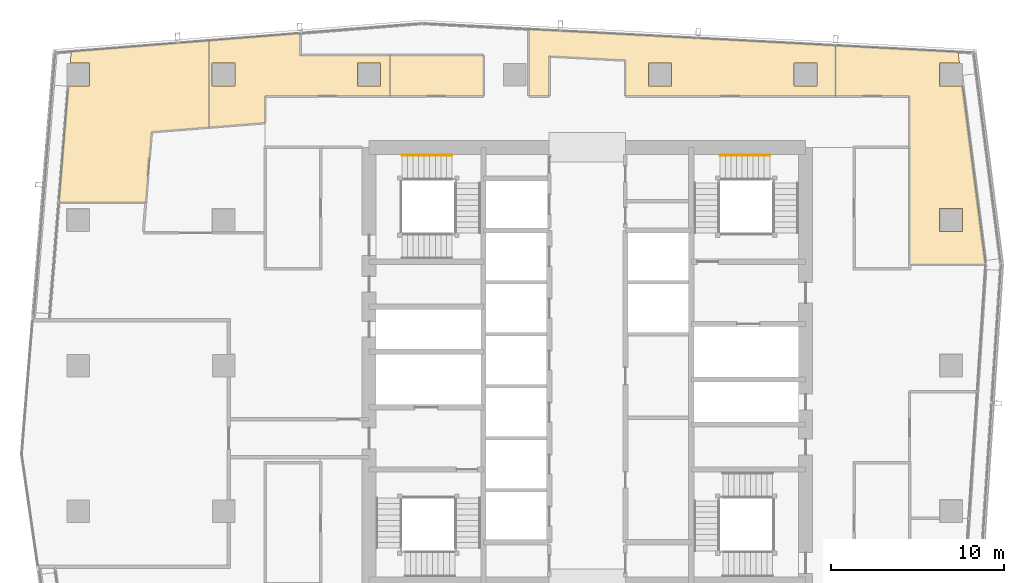
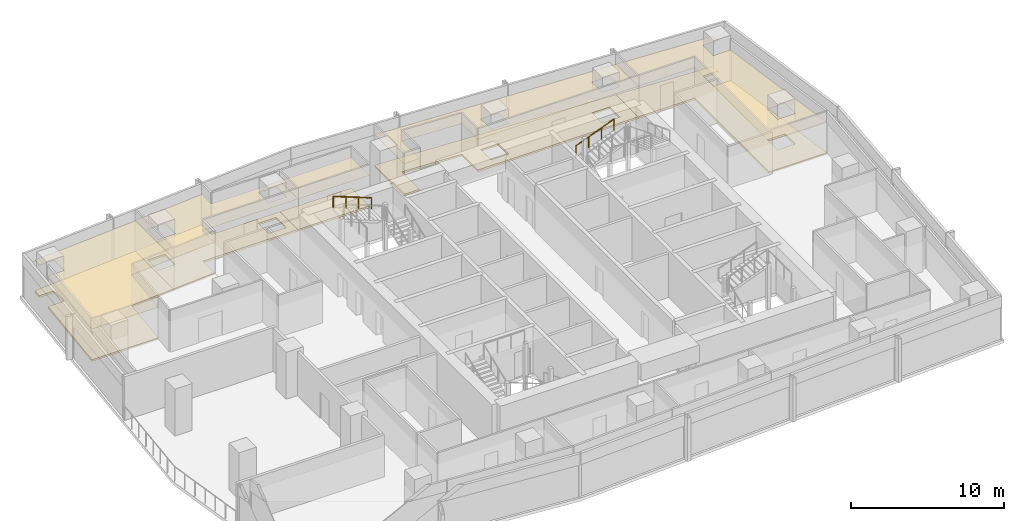
# One storey, part 28 of 28: 10 coverings, 2 railings.
"""IFC4 building model written with IfcOpenShell, lengths in metres."""

from ifc_helpers import new_model, si_unit, direction, frame, origin, origin_2d, place, context, subcontext, project, spatial, polyline, circle, outline, extrude, material, layer, layer_set, type_object, element, save


model = new_model("IFC4")

# Units and contexts
model_context = context("Model", 3, precision=1e-05, world=origin(), true_north=direction((0.0, 1.0)))
body_context = subcontext(model_context, "Body", "Model", "MODEL_VIEW")
ifc_project = project(units=[si_unit("LENGTHUNIT", "METRE"), si_unit("AREAUNIT", "SQUARE_METRE"), si_unit("VOLUMEUNIT", "CUBIC_METRE"), si_unit("PLANEANGLEUNIT", "RADIAN"), si_unit("MASSUNIT", "GRAM", prefix="KILO")], contexts=[model_context])

# Site, building, storey
site_placement = place(None, origin())
site = spatial("IfcSite", under=ifc_project, at=site_placement, CompositionType="ELEMENT")
building_placement = place(site_placement, origin())
building = spatial("IfcBuilding", under=site, at=building_placement, Name="Rekha Terrace Tower", CompositionType="ELEMENT")
storey_placement = place(building_placement, frame((0.0, 0.0, 268.85009765625)))
storey = spatial("IfcBuildingStorey", under=building, at=storey_placement, Name="L68", CompositionType="ELEMENT", Elevation=268.85009765625)

# Coverings
ifc_material_1 = material(Name="Mineral fibre tile in exposed grid", Category="finish")
ifc_layer_1 = layer(ifc_material_1, 0.02001953125)
ifc_layer_set_1 = layer_set([ifc_layer_1], Name="Mineral fibre tile in exposed grid")
covering_type_1 = type_object("IfcCoveringType", Name="CL1 600x1200 office grid ceiling", PredefinedType="CEILING", material=ifc_layer_set_1)
covering_1_placement = place(storey_placement, frame((0.0, 0.0, 2.579833984375)))
element("IfcCovering", 1, at=covering_1_placement, inside=storey, type_object=covering_type_1, Name="Ceiling L68-08", PredefinedType="CEILING", context=body_context, shape_type="SweptSolid", body=[
    extrude(outline(polyline([(59.199951171875, 51.7060546875), (52.123046875, 52.08203125), (52.123046875, 49.14990234375), (56.39990234375, 49.14990234375), (56.39990234375, 39.43994140625), (60.781005859375, 39.43994140625), (59.4541015625, 49.735107421875), (58.135009765625, 49.735107421875), (58.135009765625, 51.06494140625), (59.282958984375, 51.06494140625), (59.199951171875, 51.7060546875)]), holes=[polyline([(59.465087890625, 41.3349609375), (58.135009765625, 41.3349609375), (58.135009765625, 42.6650390625), (59.465087890625, 42.6650390625), (59.465087890625, 41.3349609375)])]), origin(), (0.0, 0.0, 1.0), 0.02001953125),
])
covering_2_placement = place(storey_placement, frame((0.0, 0.0, 2.579833984375)))
element("IfcCovering", 2, at=covering_2_placement, inside=storey, type_object=covering_type_1, Name="Ceiling L68-09", PredefinedType="CEILING", context=body_context, shape_type="SweptSolid", body=[
    extrude(outline(polyline([(34.41796875, 49.14990234375), (35.60009765625, 49.14990234375), (35.60009765625, 51.4580078125), (40.0, 51.22509765625), (40.0, 49.14990234375), (52.123046875, 49.14990234375), (52.123046875, 52.08203125), (44.172119140625, 52.5048828125), (34.41796875, 53.02294921875), (34.41796875, 49.14990234375)]), holes=[polyline([(51.06494140625, 51.06494140625), (51.06494140625, 49.735107421875), (49.735107421875, 49.735107421875), (49.735107421875, 51.06494140625), (51.06494140625, 51.06494140625)]), polyline([(42.6650390625, 49.735107421875), (41.3349609375, 49.735107421875), (41.3349609375, 51.06494140625), (42.6650390625, 51.06494140625), (42.6650390625, 49.735107421875)])]), origin(), (0.0, 0.0, 1.0), 0.02001953125),
])
covering_3_placement = place(storey_placement, frame((0.0, 0.0, 2.579833984375)))
element("IfcCovering", 3, at=covering_3_placement, inside=storey, type_object=covering_type_1, Name="Ceiling L68-10", PredefinedType="CEILING", context=body_context, shape_type="SweptSolid", body=[
    extrude(outline(polyline([(21.22607421875, 52.7880859375), (15.950927734375, 52.366943359375), (15.950927734375, 47.35107421875), (19.199951171875, 47.610107421875), (19.199951171875, 49.14990234375), (26.39990234375, 49.14990234375), (26.39990234375, 51.510986328125), (21.22607421875, 51.510986328125), (21.22607421875, 52.7880859375)]), holes=[polyline([(25.864990234375, 51.06494140625), (25.864990234375, 49.735107421875), (24.534912109375, 49.735107421875), (24.534912109375, 51.06494140625), (25.864990234375, 51.06494140625)]), polyline([(17.465087890625, 49.735107421875), (16.135009765625, 49.735107421875), (16.135009765625, 51.06494140625), (17.465087890625, 51.06494140625), (17.465087890625, 49.735107421875)])]), origin(), (0.0, 0.0, 1.0), 0.02001953125),
])
covering_4_placement = place(storey_placement, frame((0.0, 0.0, 2.579833984375)))
element("IfcCovering", 4, at=covering_4_placement, inside=storey, type_object=covering_type_1, Name="Ceiling L68-11", PredefinedType="CEILING", context=body_context, shape_type="SweptSolid", body=[
    extrude(outline(polyline([(7.842041015625, 49.735107421875), (7.2958984375, 43.027099609375), (12.31201171875, 43.027099609375), (12.64306640625, 47.0869140625), (15.949951171875, 47.35107421875), (15.949951171875, 52.366943359375), (8.00390625, 51.73291015625), (7.949951171875, 51.06494140625), (9.06494140625, 51.06494140625), (9.06494140625, 49.735107421875), (7.842041015625, 49.735107421875)])), origin(), (0.0, 0.0, 1.0), 0.02001953125),
])
covering_5_placement = place(storey_placement, frame((0.0, 0.0, 2.579833984375)))
element("IfcCovering", 5, at=covering_5_placement, inside=storey, type_object=covering_type_1, Name="Ceiling L68-13", PredefinedType="CEILING", context=body_context, shape_type="SweptSolid", body=[
    extrude(outline(polyline([(31.800048828125, 49.14990234375), (31.800048828125, 51.510986328125), (26.39990234375, 51.510986328125), (26.39990234375, 49.14990234375), (31.800048828125, 49.14990234375)])), origin(), (0.0, 0.0, 1.0), 0.02001953125),
])

# Railings
ifc_material_2 = material(Name="Stainless steel tube", Category="steel")
railing_type = type_object("IfcRailingType", Name="HR1 900 stair handrail", PredefinedType="HANDRAIL", material=ifc_material_2)
railing_1_placement = place(storey_placement, frame((45.449951171875, 45.739990234375, 1.375)))
element("IfcRailing", 6, at=railing_1_placement, inside=storey, type_object=railing_type, Name="Handrail ST2 L68 flight 2", PredefinedType="HANDRAIL", context=body_context, shape_type="SweptSolid", body=[
    extrude(circle(Radius=0.02392578125, at=origin_2d()), frame((0.0, 0.0, 0.8759765625), z_axis=(0.931462784923, 0.0, 0.363836612098), x_axis=(0.0, 1.0, 0.0)), (0.0, 0.0, 1.0), 3.092041015625),
    extrude(circle(Radius=0.02099609375, at=origin_2d()), origin(), (0.0, 0.0, 1.0), 0.851806640625),
    extrude(circle(Radius=0.02099609375, at=origin_2d()), frame((0.9599609375, 0.0, 0.375)), (0.0, 0.0, 1.0), 0.851806640625),
    extrude(circle(Radius=0.02099609375, at=origin_2d()), frame((1.920166015625, 0.0, 0.75)), (0.0, 0.0, 1.0), 0.851806640625),
    extrude(circle(Radius=0.02099609375, at=origin_2d()), frame((2.880126953125, 0.0, 1.125)), (0.0, 0.0, 1.0), 0.851806640625),
])
railing_2_placement = place(storey_placement, frame((29.97998046875, 45.739990234375, 2.625)))
element("IfcRailing", 7, at=railing_2_placement, inside=storey, type_object=railing_type, Name="Handrail ST4 L68 flight 3", PredefinedType="HANDRAIL", context=body_context, shape_type="SweptSolid", body=[
    extrude(circle(Radius=0.02392578125, at=origin_2d()), frame((0.0, 0.0, 0.8759765625), z_axis=(-0.931452331594, 0.0, 0.363863372667), x_axis=(0.0, -1.0, 0.0)), (0.0, 0.0, 1.0), 3.091796875),
    extrude(circle(Radius=0.02099609375, at=origin_2d()), origin(), (0.0, 0.0, 1.0), 0.851806640625),
    extrude(circle(Radius=0.02099609375, at=origin_2d()), frame((-0.9599609375, 0.0, 0.375)), (0.0, 0.0, 1.0), 0.851806640625),
    extrude(circle(Radius=0.02099609375, at=origin_2d()), frame((-1.919921875, 0.0, 0.75)), (0.0, 0.0, 1.0), 0.851806640625),
    extrude(circle(Radius=0.02099609375, at=origin_2d()), frame((-2.8798828125, 0.0, 1.125)), (0.0, 0.0, 1.0), 0.851806640625),
])

# Coverings
ifc_material_3 = material(Name="Calcium sulphate panels on steel pedestals", Category="steel")
ifc_layer_2 = layer(ifc_material_3, 0.14990234375)
ifc_layer_set_2 = layer_set([ifc_layer_2], Name="Calcium sulphate panels on steel pedestals")
covering_type_2 = type_object("IfcCoveringType", Name="RF1 150 raised access floor", PredefinedType="FLOORING", material=ifc_layer_set_2)
covering_6_placement = place(storey_placement, origin())
element("IfcCovering", 8, at=covering_6_placement, inside=storey, type_object=covering_type_2, Name="Raised floor L68-08", PredefinedType="FLOORING", context=body_context, shape_type="SweptSolid", body=[
    extrude(outline(polyline([(59.199951171875, 51.7060546875), (52.123046875, 52.08203125), (52.123046875, 49.14990234375), (56.39990234375, 49.14990234375), (56.39990234375, 39.43994140625), (60.781005859375, 39.43994140625), (59.4541015625, 49.735107421875), (58.135009765625, 49.735107421875), (58.135009765625, 51.06494140625), (59.282958984375, 51.06494140625), (59.199951171875, 51.7060546875)]), holes=[polyline([(59.465087890625, 41.3349609375), (58.135009765625, 41.3349609375), (58.135009765625, 42.6650390625), (59.465087890625, 42.6650390625), (59.465087890625, 41.3349609375)])]), origin(), (0.0, 0.0, 1.0), 0.14990234375),
])
covering_7_placement = place(storey_placement, origin())
element("IfcCovering", 9, at=covering_7_placement, inside=storey, type_object=covering_type_2, Name="Raised floor L68-09", PredefinedType="FLOORING", context=body_context, shape_type="SweptSolid", body=[
    extrude(outline(polyline([(34.41796875, 49.14990234375), (35.60009765625, 49.14990234375), (35.60009765625, 51.4580078125), (40.0, 51.22509765625), (40.0, 49.14990234375), (52.123046875, 49.14990234375), (52.123046875, 52.08203125), (44.172119140625, 52.5048828125), (34.41796875, 53.02294921875), (34.41796875, 49.14990234375)]), holes=[polyline([(51.06494140625, 51.06494140625), (51.06494140625, 49.735107421875), (49.735107421875, 49.735107421875), (49.735107421875, 51.06494140625), (51.06494140625, 51.06494140625)]), polyline([(42.6650390625, 49.735107421875), (41.3349609375, 49.735107421875), (41.3349609375, 51.06494140625), (42.6650390625, 51.06494140625), (42.6650390625, 49.735107421875)])]), origin(), (0.0, 0.0, 1.0), 0.14990234375),
])
covering_8_placement = place(storey_placement, origin())
element("IfcCovering", 10, at=covering_8_placement, inside=storey, type_object=covering_type_2, Name="Raised floor L68-10", PredefinedType="FLOORING", context=body_context, shape_type="SweptSolid", body=[
    extrude(outline(polyline([(21.22607421875, 52.7880859375), (15.950927734375, 52.366943359375), (15.950927734375, 47.35107421875), (19.199951171875, 47.610107421875), (19.199951171875, 49.14990234375), (26.39990234375, 49.14990234375), (26.39990234375, 51.510986328125), (21.22607421875, 51.510986328125), (21.22607421875, 52.7880859375)]), holes=[polyline([(25.864990234375, 51.06494140625), (25.864990234375, 49.735107421875), (24.534912109375, 49.735107421875), (24.534912109375, 51.06494140625), (25.864990234375, 51.06494140625)]), polyline([(17.465087890625, 49.735107421875), (16.135009765625, 49.735107421875), (16.135009765625, 51.06494140625), (17.465087890625, 51.06494140625), (17.465087890625, 49.735107421875)])]), origin(), (0.0, 0.0, 1.0), 0.14990234375),
])
covering_9_placement = place(storey_placement, origin())
element("IfcCovering", 11, at=covering_9_placement, inside=storey, type_object=covering_type_2, Name="Raised floor L68-11", PredefinedType="FLOORING", context=body_context, shape_type="SweptSolid", body=[
    extrude(outline(polyline([(7.842041015625, 49.735107421875), (7.2958984375, 43.027099609375), (12.31201171875, 43.027099609375), (12.64306640625, 47.0869140625), (15.949951171875, 47.35107421875), (15.949951171875, 52.366943359375), (8.00390625, 51.73291015625), (7.949951171875, 51.06494140625), (9.06494140625, 51.06494140625), (9.06494140625, 49.735107421875), (7.842041015625, 49.735107421875)])), origin(), (0.0, 0.0, 1.0), 0.14990234375),
])
covering_10_placement = place(storey_placement, origin())
element("IfcCovering", 12, at=covering_10_placement, inside=storey, type_object=covering_type_2, Name="Raised floor L68-13", PredefinedType="FLOORING", context=body_context, shape_type="SweptSolid", body=[
    extrude(outline(polyline([(31.800048828125, 49.14990234375), (31.800048828125, 51.510986328125), (26.39990234375, 51.510986328125), (26.39990234375, 49.14990234375), (31.800048828125, 49.14990234375)])), origin(), (0.0, 0.0, 1.0), 0.14990234375),
])

save(model, "model.ifc")
